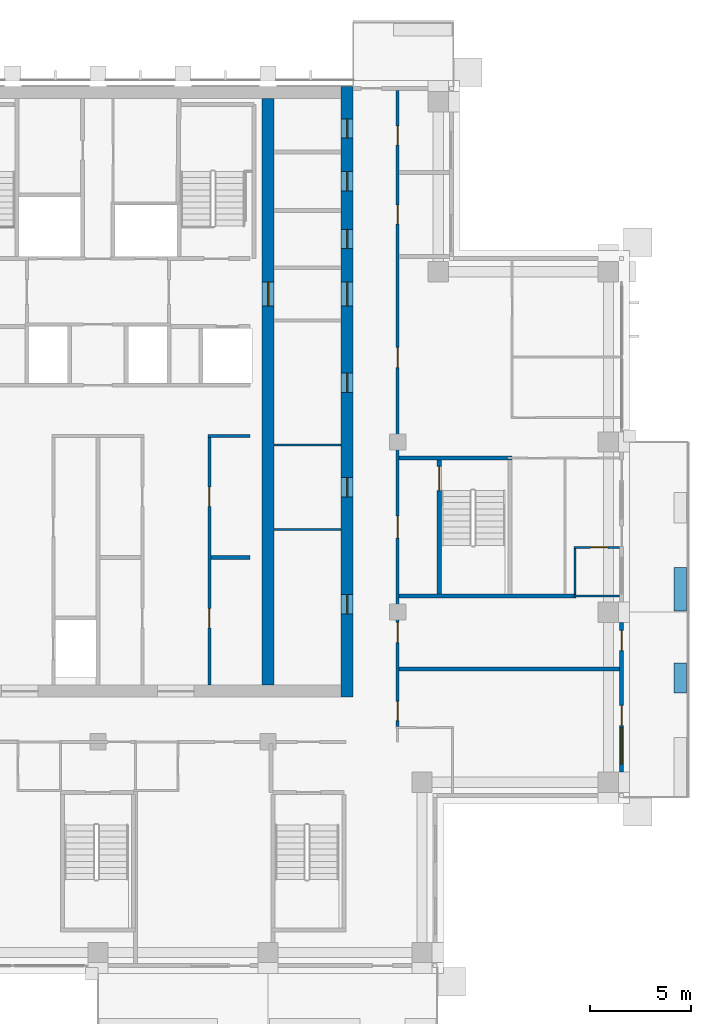
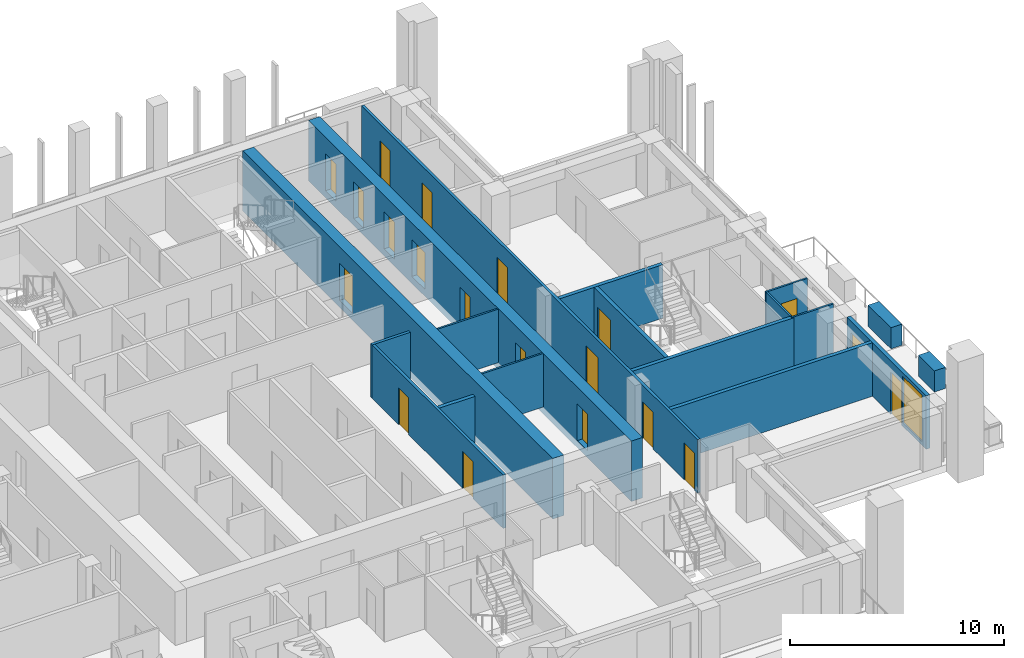
# One storey, part 11 of 18: 20 doors, 18 walls, 1 window, 21 openings.
"""IFC4 building model written with IfcOpenShell, lengths in metres."""

from ifc_helpers import new_model, si_unit, direction, frame, frame_2d, origin, place, context, subcontext, project, spatial, rectangle, extrude, material, layer, layer_set, type_object, element, fill, save


model = new_model("IFC4")

# Units and contexts
model_context = context("Model", 3, precision=1e-05, world=origin(), true_north=direction((0.0, 1.0)))
body_context = subcontext(model_context, "Body", "Model", "MODEL_VIEW")
ifc_project = project(units=[si_unit("LENGTHUNIT", "METRE"), si_unit("AREAUNIT", "SQUARE_METRE"), si_unit("VOLUMEUNIT", "CUBIC_METRE"), si_unit("PLANEANGLEUNIT", "RADIAN"), si_unit("MASSUNIT", "GRAM", prefix="KILO")], contexts=[model_context])

# Site, building, storey
site_placement = place(None, origin())
site = spatial("IfcSite", under=ifc_project, at=site_placement, CompositionType="ELEMENT")
building_placement = place(site_placement, origin())
building = spatial("IfcBuilding", under=site, at=building_placement, Name="Vermilion Ogive Tower", CompositionType="ELEMENT")
storey_placement = place(building_placement, frame((0.0, 0.0, 199.699951171875)))
storey = spatial("IfcBuildingStorey", under=building, at=storey_placement, Name="L52", CompositionType="ELEMENT", Elevation=199.699951171875)

# Wall, openings, doors
ifc_material_1 = material(Name="Concrete B60", Category="concrete")
ifc_layer_1 = layer(ifc_material_1, 0.60009765625)
ifc_layer_set_1 = layer_set([ifc_layer_1], Name="Core wall 600 B60")
wall_type_1 = type_object("IfcWallType", Name="Core wall 600 B60", PredefinedType="SHEAR", material=ifc_layer_set_1)
wall_1_placement = place(storey_placement, frame((12.300048828125, -8.39990234375, -0.39990234375), z_axis=(0.0, 0.0, 1.0), x_axis=(0.0, 1.0, 0.0)))
wall_1 = element("IfcWall", 1, at=wall_1_placement, inside=storey, type_object=wall_type_1, Name="L52-CORE-E", PredefinedType="SHEAR", context=body_context, shape_type="SweptSolid", body=[
    extrude(rectangle(XDim=30.14990234375, YDim=0.60009765625, at=frame_2d((15.074951171875, 0.0))), origin(), (0.0, 0.0, 1.0), 3.449951171875),
])
opening_1_placement = place(wall_1_placement, frame((4.112548828125, 0.0, 0.39990234375)))
opening_1 = element("IfcOpeningElement", 2, at=opening_1_placement, cuts=wall_1, Name="Opening DAC083", PredefinedType="OPENING", context=body_context, shape_type="SweptSolid", body=[
    extrude(rectangle(XDim=0.949951171875, YDim=2.10009765625, at=frame_2d((0.47509765625, 1.050048828125))), frame((0.0, 0.31005859375, 0.0), z_axis=(0.0, -1.0, 0.0), x_axis=(1.0, 0.0, 0.0)), (0.0, 0.0, 1.0), 0.6201171875),
])
opening_2_placement = place(wall_1_placement, frame((9.8896484375, 0.0, 0.39990234375)))
opening_2 = element("IfcOpeningElement", 3, at=opening_2_placement, cuts=wall_1, Name="Opening DAC084", PredefinedType="OPENING", context=body_context, shape_type="SweptSolid", body=[
    extrude(rectangle(XDim=0.949951171875, YDim=2.10009765625, at=frame_2d((0.47509765625, 1.050048828125))), frame((0.0, 0.31005859375, 0.0), z_axis=(0.0, -1.0, 0.0), x_axis=(1.0, 0.0, 0.0)), (0.0, 0.0, 1.0), 0.6201171875),
])
opening_3_placement = place(wall_1_placement, frame((15.052001953125, 0.0, 0.39990234375)))
opening_3 = element("IfcOpeningElement", 4, at=opening_3_placement, cuts=wall_1, Name="Opening DAC085", PredefinedType="OPENING", context=body_context, shape_type="SweptSolid", body=[
    extrude(rectangle(XDim=0.949951171875, YDim=2.10009765625, at=frame_2d((0.47509765625, 1.050048828125))), frame((0.0, 0.31005859375, 0.0), z_axis=(0.0, -1.0, 0.0), x_axis=(1.0, 0.0, 0.0)), (0.0, 0.0, 1.0), 0.6201171875),
])
opening_4_placement = place(wall_1_placement, frame((22.1435546875, 0.0, 0.39990234375)))
opening_4 = element("IfcOpeningElement", 5, at=opening_4_placement, cuts=wall_1, Name="Opening DAC086", PredefinedType="OPENING", context=body_context, shape_type="SweptSolid", body=[
    extrude(rectangle(XDim=0.949951171875, YDim=2.10009765625, at=frame_2d((0.47509765625, 1.050048828125))), frame((0.0, 0.31005859375, 0.0), z_axis=(0.0, -1.0, 0.0), x_axis=(1.0, 0.0, 0.0)), (0.0, 0.0, 1.0), 0.6201171875),
])
opening_5_placement = place(wall_1_placement, frame((24.998291015625, 0.0, 0.39990234375)))
opening_5 = element("IfcOpeningElement", 6, at=opening_5_placement, cuts=wall_1, Name="Opening DAC087", PredefinedType="OPENING", context=body_context, shape_type="SweptSolid", body=[
    extrude(rectangle(XDim=0.949951171875, YDim=2.10009765625, at=frame_2d((0.47509765625, 1.050048828125))), frame((0.0, 0.31005859375, 0.0), z_axis=(0.0, -1.0, 0.0), x_axis=(1.0, 0.0, 0.0)), (0.0, 0.0, 1.0), 0.6201171875),
])
opening_6_placement = place(wall_1_placement, frame((27.604736328125, 0.0, 0.39990234375)))
opening_6 = element("IfcOpeningElement", 7, at=opening_6_placement, cuts=wall_1, Name="Opening DAC088", PredefinedType="OPENING", context=body_context, shape_type="SweptSolid", body=[
    extrude(rectangle(XDim=0.949951171875, YDim=2.10009765625, at=frame_2d((0.47509765625, 1.050048828125))), frame((0.0, 0.31005859375, 0.0), z_axis=(0.0, -1.0, 0.0), x_axis=(1.0, 0.0, 0.0)), (0.0, 0.0, 1.0), 0.6201171875),
])
opening_7_placement = place(wall_1_placement, frame((19.300048828125, 0.0, 0.39990234375)))
opening_7 = element("IfcOpeningElement", 8, at=opening_7_placement, cuts=wall_1, Name="Opening DAL021", PredefinedType="OPENING", context=body_context, shape_type="SweptSolid", body=[
    extrude(rectangle(XDim=1.199951171875, YDim=2.10009765625, at=frame_2d((0.60009765625, 1.050048828125))), frame((0.0, 0.31005859375, 0.0), z_axis=(0.0, -1.0, 0.0), x_axis=(1.0, 0.0, 0.0)), (0.0, 0.0, 1.0), 0.6201171875),
])
ifc_material_2 = material(Name="Timber door leaf", Category="wood")
door_type_1 = type_object("IfcDoorType", Name="Link door 1200 x 2100 FD60S", OperationType="SINGLE_SWING_LEFT", PredefinedType="DOOR", material=ifc_material_2)
door_1_placement = place(opening_7_placement, origin())
door_1 = element("IfcDoor", 9, at=door_1_placement, inside=storey, type_object=door_type_1, Name="L52-CKE-XL", OperationType="SINGLE_SWING_LEFT", OverallHeight=2.10009765625, OverallWidth=1.199951171875, PredefinedType="DOOR", context=body_context, shape_type="SweptSolid", body=[
    extrude(rectangle(XDim=1.199951171875, YDim=2.10009765625, at=frame_2d((0.60009765625, 1.050048828125))), frame((0.0, 0.02490234375, 0.0), z_axis=(0.0, -1.0, 0.0), x_axis=(1.0, 0.0, 0.0)), (0.0, 0.0, 1.0), 0.050048828125),
])
fill(opening_7, door_1)
ifc_material_3 = material(Name="Timber door leaf", Category="wood")
door_type_2 = type_object("IfcDoorType", Name="Service door 950 x 2100 FD60", OperationType="SINGLE_SWING_LEFT", PredefinedType="DOOR", material=ifc_material_3)
door_2_placement = place(opening_1_placement, origin())
door_2 = element("IfcDoor", 10, at=door_2_placement, inside=storey, type_object=door_type_2, Name="L52-CKE-XR0", OperationType="SINGLE_SWING_LEFT", OverallHeight=2.10009765625, OverallWidth=0.949951171875, PredefinedType="DOOR", context=body_context, shape_type="SweptSolid", body=[
    extrude(rectangle(XDim=0.949951171875, YDim=2.10009765625, at=frame_2d((0.47509765625, 1.050048828125))), frame((0.0, 0.02490234375, 0.0), z_axis=(0.0, -1.0, 0.0), x_axis=(1.0, 0.0, 0.0)), (0.0, 0.0, 1.0), 0.050048828125),
])
fill(opening_1, door_2)
door_3_placement = place(opening_2_placement, origin())
door_3 = element("IfcDoor", 11, at=door_3_placement, inside=storey, type_object=door_type_2, Name="L52-CKE-XR1", OperationType="SINGLE_SWING_LEFT", OverallHeight=2.10009765625, OverallWidth=0.949951171875, PredefinedType="DOOR", context=body_context, shape_type="SweptSolid", body=[
    extrude(rectangle(XDim=0.949951171875, YDim=2.10009765625, at=frame_2d((0.47509765625, 1.050048828125))), frame((0.0, 0.02490234375, 0.0), z_axis=(0.0, -1.0, 0.0), x_axis=(1.0, 0.0, 0.0)), (0.0, 0.0, 1.0), 0.050048828125),
])
fill(opening_2, door_3)
door_4_placement = place(opening_3_placement, origin())
door_4 = element("IfcDoor", 12, at=door_4_placement, inside=storey, type_object=door_type_2, Name="L52-CKE-XR2", OperationType="SINGLE_SWING_LEFT", OverallHeight=2.10009765625, OverallWidth=0.949951171875, PredefinedType="DOOR", context=body_context, shape_type="SweptSolid", body=[
    extrude(rectangle(XDim=0.949951171875, YDim=2.10009765625, at=frame_2d((0.47509765625, 1.050048828125))), frame((0.0, 0.02490234375, 0.0), z_axis=(0.0, -1.0, 0.0), x_axis=(1.0, 0.0, 0.0)), (0.0, 0.0, 1.0), 0.050048828125),
])
fill(opening_3, door_4)
door_5_placement = place(opening_4_placement, origin())
door_5 = element("IfcDoor", 13, at=door_5_placement, inside=storey, type_object=door_type_2, Name="L52-CKE-XR3", OperationType="SINGLE_SWING_LEFT", OverallHeight=2.10009765625, OverallWidth=0.949951171875, PredefinedType="DOOR", context=body_context, shape_type="SweptSolid", body=[
    extrude(rectangle(XDim=0.949951171875, YDim=2.10009765625, at=frame_2d((0.47509765625, 1.050048828125))), frame((0.0, 0.02490234375, 0.0), z_axis=(0.0, -1.0, 0.0), x_axis=(1.0, 0.0, 0.0)), (0.0, 0.0, 1.0), 0.050048828125),
])
fill(opening_4, door_5)
door_6_placement = place(opening_5_placement, origin())
door_6 = element("IfcDoor", 14, at=door_6_placement, inside=storey, type_object=door_type_2, Name="L52-CKE-XR4", OperationType="SINGLE_SWING_LEFT", OverallHeight=2.10009765625, OverallWidth=0.949951171875, PredefinedType="DOOR", context=body_context, shape_type="SweptSolid", body=[
    extrude(rectangle(XDim=0.949951171875, YDim=2.10009765625, at=frame_2d((0.47509765625, 1.050048828125))), frame((0.0, 0.02490234375, 0.0), z_axis=(0.0, -1.0, 0.0), x_axis=(1.0, 0.0, 0.0)), (0.0, 0.0, 1.0), 0.050048828125),
])
fill(opening_5, door_6)
door_7_placement = place(opening_6_placement, origin())
door_7 = element("IfcDoor", 15, at=door_7_placement, inside=storey, type_object=door_type_2, Name="L52-CKE-XR5", OperationType="SINGLE_SWING_LEFT", OverallHeight=2.10009765625, OverallWidth=0.949951171875, PredefinedType="DOOR", context=body_context, shape_type="SweptSolid", body=[
    extrude(rectangle(XDim=0.949951171875, YDim=2.10009765625, at=frame_2d((0.47509765625, 1.050048828125))), frame((0.0, 0.02490234375, 0.0), z_axis=(0.0, -1.0, 0.0), x_axis=(1.0, 0.0, 0.0)), (0.0, 0.0, 1.0), 0.050048828125),
])
fill(opening_6, door_7)

# Wall, opening, door
wall_2_placement = place(storey_placement, frame((8.39990234375, -7.800048828125, -0.39990234375), z_axis=(0.0, 0.0, 1.0), x_axis=(0.0, 1.0, 0.0)))
wall_2 = element("IfcWall", 16, at=wall_2_placement, inside=storey, type_object=wall_type_1, Name="L52-CORE-WEB2", PredefinedType="SHEAR", context=body_context, shape_type="SweptSolid", body=[
    extrude(rectangle(XDim=28.949951171875, YDim=0.60009765625, at=frame_2d((14.47509765625, 0.0))), origin(), (0.0, 0.0, 1.0), 3.449951171875),
])
opening_8_placement = place(wall_2_placement, frame((18.699951171875, 0.0, 0.39990234375)))
opening_8 = element("IfcOpeningElement", 17, at=opening_8_placement, cuts=wall_2, Name="Opening DAO016", PredefinedType="OPENING", context=body_context, shape_type="SweptSolid", body=[
    extrude(rectangle(XDim=1.199951171875, YDim=2.10009765625, at=frame_2d((0.60009765625, 1.050048828125))), frame((0.0, 0.31005859375, 0.0), z_axis=(0.0, -1.0, 0.0), x_axis=(1.0, 0.0, 0.0)), (0.0, 0.0, 1.0), 0.6201171875),
])
door_8_placement = place(opening_8_placement, origin())
door_8 = element("IfcDoor", 18, at=door_8_placement, inside=storey, type_object=door_type_1, Name="L52-CKE-XW", OperationType="SINGLE_SWING_LEFT", OverallHeight=2.10009765625, OverallWidth=1.199951171875, PredefinedType="DOOR", context=body_context, shape_type="SweptSolid", body=[
    extrude(rectangle(XDim=1.199951171875, YDim=2.10009765625, at=frame_2d((0.60009765625, 1.050048828125))), frame((0.0, 0.02490234375, 0.0), z_axis=(0.0, -1.0, 0.0), x_axis=(1.0, 0.0, 0.0)), (0.0, 0.0, 1.0), 0.050048828125),
])
fill(opening_8, door_8)

# Wall
ifc_material_4 = material(Name="Gypsum board partition on steel studs", Category="steel")
ifc_layer_2 = layer(ifc_material_4, 0.10009765625)
ifc_layer_set_2 = layer_set([ifc_layer_2], Name="Partition 100 bath")
wall_type_2 = type_object("IfcWallType", Name="Partition 100 bath", PredefinedType="PARTITIONING", material=ifc_layer_set_2)
wall_3_placement = place(storey_placement, frame((23.5, -3.39990234375, 0.0), z_axis=(0.0, 0.0, 1.0), x_axis=(1.0, 0.0, 0.0)))
element("IfcWall", 19, at=wall_3_placement, inside=storey, type_object=wall_type_2, Name="L52-W-W020", PredefinedType="PARTITIONING", context=body_context, shape_type="SweptSolid", body=[
    extrude(rectangle(XDim=2.25, YDim=0.10009765625, at=frame_2d((1.125, 0.0))), origin(), (0.0, 0.0, 1.0), 3.050048828125),
])

# Wall, opening, door
wall_4_placement = place(storey_placement, frame((23.5, -1.0, 0.0), z_axis=(0.0, 0.0, 1.0), x_axis=(1.0, 0.0, 0.0)))
wall_4 = element("IfcWall", 20, at=wall_4_placement, inside=storey, type_object=wall_type_2, Name="L52-W-W022", PredefinedType="PARTITIONING", context=body_context, shape_type="SweptSolid", body=[
    extrude(rectangle(XDim=2.25, YDim=0.10009765625, at=frame_2d((1.125, 0.0))), origin(), (0.0, 0.0, 1.0), 3.050048828125),
])
opening_9_placement = place(wall_4_placement, frame((0.824951171875, 0.0, 0.0)))
opening_9 = element("IfcOpeningElement", 21, at=opening_9_placement, cuts=wall_4, Name="Opening D4G4022", PredefinedType="OPENING", context=body_context, shape_type="SweptSolid", body=[
    extrude(rectangle(XDim=0.85009765625, YDim=2.10009765625, at=frame_2d((0.425048828125, 1.050048828125))), frame((0.0, 0.06005859375, 0.0), z_axis=(0.0, -1.0, 0.0), x_axis=(1.0, 0.0, 0.0)), (0.0, 0.0, 1.0), 0.1201171875),
])
ifc_material_5 = material(Name="Timber door leaf", Category="wood")
door_type_3 = type_object("IfcDoorType", Name="Bath door 850 x 2100 FD30", OperationType="SINGLE_SWING_LEFT", PredefinedType="DOOR", material=ifc_material_5)
door_9_placement = place(opening_9_placement, origin())
door_9 = element("IfcDoor", 22, at=door_9_placement, inside=storey, type_object=door_type_3, Name="L52-D-D022", OperationType="SINGLE_SWING_RIGHT", OverallHeight=2.10009765625, OverallWidth=0.85009765625, PredefinedType="DOOR", context=body_context, shape_type="SweptSolid", body=[
    extrude(rectangle(XDim=0.85009765625, YDim=2.10009765625, at=frame_2d((0.425048828125, 1.050048828125))), frame((0.0, 0.02490234375, 0.0), z_axis=(0.0, -1.0, 0.0), x_axis=(1.0, 0.0, 0.0)), (0.0, 0.0, 1.0), 0.050048828125),
])
fill(opening_9, door_9)

# Walls
wall_5_placement = place(storey_placement, frame((23.550048828125, -3.300048828125, 0.0), z_axis=(0.0, 0.0, 1.0), x_axis=(0.0, 1.0, 0.0)))
element("IfcWall", 23, at=wall_5_placement, inside=storey, type_object=wall_type_2, Name="L52-W-W062", PredefinedType="PARTITIONING", context=body_context, shape_type="SweptSolid", body=[
    extrude(rectangle(XDim=2.25, YDim=0.10009765625, at=frame_2d((1.125, 0.0))), origin(), (0.0, 0.0, 1.0), 3.050048828125),
])
for number, where, z_axis, x_axis, name in (
    (24, (8.700927734375, -0.125, 0.0), (0.0, 0.0, 1.0), (1.0, 0.0, 0.0), "L52-CKE-W-W001"),
    (25, (8.700927734375, 4.053955078125, 0.0), (0.0, 0.0, 1.0), (1.0, 0.0, 0.0), "L52-CKE-W-W002"),
):
    element("IfcWall", number, at=place(storey_placement, frame(where, z_axis=z_axis, x_axis=x_axis)), inside=storey, type_object=wall_type_2, Name=name, PredefinedType="PARTITIONING", context=body_context, shape_type="SweptSolid", body=[
        extrude(rectangle(XDim=3.298095703125, YDim=0.10009765625, at=frame_2d((1.64892578125, 0.0))), origin(), (0.0, 0.0, 1.0), 3.050048828125),
    ])

# Wall, openings, doors
ifc_material_6 = material(Name="Gypsum board partition on steel studs", Category="steel")
ifc_layer_3 = layer(ifc_material_6, 0.14990234375)
ifc_layer_set_3 = layer_set([ifc_layer_3], Name="Partition 150 corridor")
wall_type_3 = type_object("IfcWallType", Name="Partition 150 corridor", PredefinedType="PARTITIONING", material=ifc_layer_set_3)
wall_6_placement = place(storey_placement, frame((14.800048828125, -9.85009765625, 0.0), z_axis=(0.0, 0.0, 1.0), x_axis=(0.0, 1.0, 0.0)))
wall_6 = element("IfcWall", 26, at=wall_6_placement, inside=storey, type_object=wall_type_3, Name="L52-W-W056", PredefinedType="PARTITIONING", context=body_context, shape_type="SweptSolid", body=[
    extrude(rectangle(XDim=31.400146484375, YDim=0.14990234375, at=frame_2d((15.7001953125, 0.0))), origin(), (0.0, 0.0, 1.0), 3.050048828125),
])
opening_10_placement = place(wall_6_placement, frame((0.300048828125, 0.0, 0.0)))
opening_10 = element("IfcOpeningElement", 27, at=opening_10_placement, cuts=wall_6, Name="Opening D4G4015", PredefinedType="OPENING", context=body_context, shape_type="SweptSolid", body=[
    extrude(rectangle(XDim=0.949951171875, YDim=2.10009765625, at=frame_2d((0.47509765625, 1.050048828125))), frame((0.0, 0.0849609375, 0.0), z_axis=(0.0, -1.0, 0.0), x_axis=(1.0, 0.0, 0.0)), (0.0, 0.0, 1.0), 0.169921875),
])
opening_11_placement = place(wall_6_placement, frame((17.72509765625, 0.0, 0.0)))
opening_11 = element("IfcOpeningElement", 28, at=opening_11_placement, cuts=wall_6, Name="Opening D4G4020", PredefinedType="OPENING", context=body_context, shape_type="SweptSolid", body=[
    extrude(rectangle(XDim=1.0, YDim=2.10009765625, at=frame_2d((0.5, 1.050048828125))), frame((0.0, 0.0849609375, 0.0), z_axis=(0.0, -1.0, 0.0), x_axis=(1.0, 0.0, 0.0)), (0.0, 0.0, 1.0), 0.169921875),
])
opening_12_placement = place(wall_6_placement, frame((24.800048828125, 0.0, 0.0)))
opening_12 = element("IfcOpeningElement", 29, at=opening_12_placement, cuts=wall_6, Name="Opening D4G4023", PredefinedType="OPENING", context=body_context, shape_type="SweptSolid", body=[
    extrude(rectangle(XDim=0.949951171875, YDim=2.10009765625, at=frame_2d((0.47509765625, 1.050048828125))), frame((0.0, 0.0849609375, 0.0), z_axis=(0.0, -1.0, 0.0), x_axis=(1.0, 0.0, 0.0)), (0.0, 0.0, 1.0), 0.169921875),
])
opening_13_placement = place(wall_6_placement, frame((28.7001953125, 0.0, 0.0)))
opening_13 = element("IfcOpeningElement", 30, at=opening_13_placement, cuts=wall_6, Name="Opening D4G4024", PredefinedType="OPENING", context=body_context, shape_type="SweptSolid", body=[
    extrude(rectangle(XDim=0.949951171875, YDim=2.10009765625, at=frame_2d((0.47509765625, 1.050048828125))), frame((0.0, 0.0849609375, 0.0), z_axis=(0.0, -1.0, 0.0), x_axis=(1.0, 0.0, 0.0)), (0.0, 0.0, 1.0), 0.169921875),
])
opening_14_placement = place(wall_6_placement, frame((9.300048828125, 0.0, 0.0)))
opening_14 = element("IfcOpeningElement", 31, at=opening_14_placement, cuts=wall_6, Name="Opening D4G4031", PredefinedType="OPENING", context=body_context, shape_type="SweptSolid", body=[
    extrude(rectangle(XDim=1.10009765625, YDim=2.10009765625, at=frame_2d((0.550048828125, 1.050048828125))), frame((0.0, 0.0849609375, 0.0), z_axis=(0.0, -1.0, 0.0), x_axis=(1.0, 0.0, 0.0)), (0.0, 0.0, 1.0), 0.169921875),
])
opening_15_placement = place(wall_6_placement, frame((4.150146484375, 0.0, 0.0)))
opening_15 = element("IfcOpeningElement", 32, at=opening_15_placement, cuts=wall_6, Name="Opening D4G4036", PredefinedType="OPENING", context=body_context, shape_type="SweptSolid", body=[
    extrude(rectangle(XDim=1.0, YDim=2.10009765625, at=frame_2d((0.5, 1.050048828125))), frame((0.0, 0.0849609375, 0.0), z_axis=(0.0, -1.0, 0.0), x_axis=(1.0, 0.0, 0.0)), (0.0, 0.0, 1.0), 0.169921875),
])
ifc_material_7 = material(Name="Timber door leaf", Category="wood")
door_type_4 = type_object("IfcDoorType", Name="Stair door 1100 x 2100 FD60S", OperationType="SINGLE_SWING_LEFT", PredefinedType="DOOR", material=ifc_material_7)
door_10_placement = place(opening_14_placement, origin())
door_10 = element("IfcDoor", 33, at=door_10_placement, inside=storey, type_object=door_type_4, Name="L52-D-D031", OperationType="SINGLE_SWING_LEFT", OverallHeight=2.10009765625, OverallWidth=1.10009765625, PredefinedType="DOOR", context=body_context, shape_type="SweptSolid", body=[
    extrude(rectangle(XDim=1.10009765625, YDim=2.10009765625, at=frame_2d((0.550048828125, 1.050048828125))), frame((0.0, 0.02490234375, 0.0), z_axis=(0.0, -1.0, 0.0), x_axis=(1.0, 0.0, 0.0)), (0.0, 0.0, 1.0), 0.050048828125),
])
fill(opening_14, door_10)
ifc_material_8 = material(Name="Timber door leaf", Category="wood")
door_type_5 = type_object("IfcDoorType", Name="Unit door 1000 x 2100 FD30S", OperationType="SINGLE_SWING_LEFT", PredefinedType="DOOR", material=ifc_material_8)
door_11_placement = place(opening_11_placement, origin())
door_11 = element("IfcDoor", 34, at=door_11_placement, inside=storey, type_object=door_type_5, Name="L52-D-D020", OperationType="SINGLE_SWING_LEFT", OverallHeight=2.10009765625, OverallWidth=1.0, PredefinedType="DOOR", context=body_context, shape_type="SweptSolid", body=[
    extrude(rectangle(XDim=1.0, YDim=2.10009765625, at=frame_2d((0.5, 1.050048828125))), frame((0.0, 0.02490234375, 0.0), z_axis=(0.0, -1.0, 0.0), x_axis=(1.0, 0.0, 0.0)), (0.0, 0.0, 1.0), 0.050048828125),
])
fill(opening_11, door_11)
door_12_placement = place(opening_15_placement, origin())
door_12 = element("IfcDoor", 35, at=door_12_placement, inside=storey, type_object=door_type_5, Name="L52-D-D036", OperationType="SINGLE_SWING_RIGHT", OverallHeight=2.10009765625, OverallWidth=1.0, PredefinedType="DOOR", context=body_context, shape_type="SweptSolid", body=[
    extrude(rectangle(XDim=1.0, YDim=2.10009765625, at=frame_2d((0.5, 1.050048828125))), frame((0.0, 0.02490234375, 0.0), z_axis=(0.0, -1.0, 0.0), x_axis=(1.0, 0.0, 0.0)), (0.0, 0.0, 1.0), 0.050048828125),
])
fill(opening_15, door_12)
ifc_material_9 = material(Name="Timber door leaf", Category="wood")
door_type_6 = type_object("IfcDoorType", Name="Unit door 950 x 2100 FD30S", OperationType="SINGLE_SWING_LEFT", PredefinedType="DOOR", material=ifc_material_9)
door_13_placement = place(opening_10_placement, origin())
door_13 = element("IfcDoor", 36, at=door_13_placement, inside=storey, type_object=door_type_6, Name="L52-D-D015", OperationType="SINGLE_SWING_RIGHT", OverallHeight=2.10009765625, OverallWidth=0.949951171875, PredefinedType="DOOR", context=body_context, shape_type="SweptSolid", body=[
    extrude(rectangle(XDim=0.949951171875, YDim=2.10009765625, at=frame_2d((0.47509765625, 1.050048828125))), frame((0.0, 0.02490234375, 0.0), z_axis=(0.0, -1.0, 0.0), x_axis=(1.0, 0.0, 0.0)), (0.0, 0.0, 1.0), 0.050048828125),
])
fill(opening_10, door_13)
door_14_placement = place(opening_12_placement, origin())
door_14 = element("IfcDoor", 37, at=door_14_placement, inside=storey, type_object=door_type_6, Name="L52-D-D023", OperationType="SINGLE_SWING_RIGHT", OverallHeight=2.10009765625, OverallWidth=0.949951171875, PredefinedType="DOOR", context=body_context, shape_type="SweptSolid", body=[
    extrude(rectangle(XDim=0.949951171875, YDim=2.10009765625, at=frame_2d((0.47509765625, 1.050048828125))), frame((0.0, 0.02490234375, 0.0), z_axis=(0.0, -1.0, 0.0), x_axis=(1.0, 0.0, 0.0)), (0.0, 0.0, 1.0), 0.050048828125),
])
fill(opening_12, door_14)
door_15_placement = place(opening_13_placement, origin())
door_15 = element("IfcDoor", 38, at=door_15_placement, inside=storey, type_object=door_type_6, Name="L52-D-D024", OperationType="SINGLE_SWING_RIGHT", OverallHeight=2.10009765625, OverallWidth=0.949951171875, PredefinedType="DOOR", context=body_context, shape_type="SweptSolid", body=[
    extrude(rectangle(XDim=0.949951171875, YDim=2.10009765625, at=frame_2d((0.47509765625, 1.050048828125))), frame((0.0, 0.02490234375, 0.0), z_axis=(0.0, -1.0, 0.0), x_axis=(1.0, 0.0, 0.0)), (0.0, 0.0, 1.0), 0.050048828125),
])
fill(opening_13, door_15)

# Wall
wall_7_placement = place(storey_placement, frame((5.425048828125, 4.5, 0.0), z_axis=(0.0, 0.0, 1.0), x_axis=(1.0, 0.0, 0.0)))
element("IfcWall", 39, at=wall_7_placement, inside=storey, type_object=wall_type_3, Name="L52-CK-W-W009", PredefinedType="PARTITIONING", context=body_context, shape_type="SweptSolid", body=[
    extrude(rectangle(XDim=2.074951171875, YDim=0.14990234375, at=frame_2d((1.03759765625, 0.0))), origin(), (0.0, 0.0, 1.0), 3.050048828125),
])

# Wall, openings, doors
wall_8_placement = place(storey_placement, frame((5.5, -7.799072265625, 0.0), z_axis=(0.0, 0.0, 1.0), x_axis=(0.0, 1.0, 0.0)))
wall_8 = element("IfcWall", 40, at=wall_8_placement, inside=storey, type_object=wall_type_3, Name="L52-CK-W-W037", PredefinedType="PARTITIONING", context=body_context, shape_type="SweptSolid", body=[
    extrude(rectangle(XDim=12.22412109375, YDim=0.14990234375, at=frame_2d((6.112060546875, 0.0))), origin(), (0.0, 0.0, 1.0), 3.050048828125),
])
opening_16_placement = place(wall_8_placement, frame((2.823974609375, 0.0, 0.0)))
opening_16 = element("IfcOpeningElement", 41, at=opening_16_placement, cuts=wall_8, Name="Opening DAA475", PredefinedType="OPENING", context=body_context, shape_type="SweptSolid", body=[
    extrude(rectangle(XDim=0.949951171875, YDim=2.10009765625, at=frame_2d((0.47509765625, 1.050048828125))), frame((0.0, 0.0849609375, 0.0), z_axis=(0.0, -1.0, 0.0), x_axis=(1.0, 0.0, 0.0)), (0.0, 0.0, 1.0), 0.169921875),
])
opening_17_placement = place(wall_8_placement, frame((8.823974609375, 0.0, 0.0)))
opening_17 = element("IfcOpeningElement", 42, at=opening_17_placement, cuts=wall_8, Name="Opening DAA476", PredefinedType="OPENING", context=body_context, shape_type="SweptSolid", body=[
    extrude(rectangle(XDim=0.949951171875, YDim=2.10009765625, at=frame_2d((0.47509765625, 1.050048828125))), frame((0.0, 0.0849609375, 0.0), z_axis=(0.0, -1.0, 0.0), x_axis=(1.0, 0.0, 0.0)), (0.0, 0.0, 1.0), 0.169921875),
])
door_16_placement = place(opening_16_placement, origin())
door_16 = element("IfcDoor", 43, at=door_16_placement, inside=storey, type_object=door_type_2, Name="L52-CK-D-D009", OperationType="SINGLE_SWING_LEFT", OverallHeight=2.10009765625, OverallWidth=0.949951171875, PredefinedType="DOOR", context=body_context, shape_type="SweptSolid", body=[
    extrude(rectangle(XDim=0.949951171875, YDim=2.10009765625, at=frame_2d((0.47509765625, 1.050048828125))), frame((0.0, 0.02490234375, 0.0), z_axis=(0.0, -1.0, 0.0), x_axis=(1.0, 0.0, 0.0)), (0.0, 0.0, 1.0), 0.050048828125),
])
fill(opening_16, door_16)
door_17_placement = place(opening_17_placement, origin())
door_17 = element("IfcDoor", 44, at=door_17_placement, inside=storey, type_object=door_type_2, Name="L52-CK-D-D010", OperationType="SINGLE_SWING_LEFT", OverallHeight=2.10009765625, OverallWidth=0.949951171875, PredefinedType="DOOR", context=body_context, shape_type="SweptSolid", body=[
    extrude(rectangle(XDim=0.949951171875, YDim=2.10009765625, at=frame_2d((0.47509765625, 1.050048828125))), frame((0.0, 0.02490234375, 0.0), z_axis=(0.0, -1.0, 0.0), x_axis=(1.0, 0.0, 0.0)), (0.0, 0.0, 1.0), 0.050048828125),
])
fill(opening_17, door_17)

# Walls
ifc_material_10 = material(Name="Gypsum board partition on steel studs", Category="steel")
ifc_layer_4 = layer(ifc_material_10, 0.199951171875)
ifc_layer_set_4 = layer_set([ifc_layer_4], Name="Partition 200 party")
wall_type_4 = type_object("IfcWallType", Name="Partition 200 party", PredefinedType="PARTITIONING", material=ifc_layer_set_4)
wall_9_placement = place(storey_placement, frame((14.875, -7.0, 0.0), z_axis=(0.0, 0.0, 1.0), x_axis=(1.0, 0.0, 0.0)))
element("IfcWall", 45, at=wall_9_placement, inside=storey, type_object=wall_type_4, Name="L52-W-W015", PredefinedType="PARTITIONING", context=body_context, shape_type="SweptSolid", body=[
    extrude(rectangle(XDim=10.875, YDim=0.199951171875, at=frame_2d((5.4375, 0.0))), origin(), (0.0, 0.0, 1.0), 3.050048828125),
])
wall_10_placement = place(storey_placement, frame((5.574951171875, -1.5, 0.0), z_axis=(0.0, 0.0, 1.0), x_axis=(1.0, 0.0, 0.0)))
element("IfcWall", 46, at=wall_10_placement, inside=storey, type_object=wall_type_4, Name="L52-CK-W-W005", PredefinedType="PARTITIONING", context=body_context, shape_type="SweptSolid", body=[
    extrude(rectangle(XDim=1.925048828125, YDim=0.199951171875, at=frame_2d((0.96240234375, 0.0))), origin(), (0.0, 0.0, 1.0), 3.050048828125),
])
ifc_material_11 = material(Name="Concrete B60", Category="concrete")
ifc_layer_5 = layer(ifc_material_11, 0.199951171875)
ifc_layer_set_5 = layer_set([ifc_layer_5], Name="Stair shaft wall 200 Concrete B60")
wall_type_5 = type_object("IfcWallType", Name="Stair shaft wall 200 Concrete B60", PredefinedType="SOLIDWALL", material=ifc_layer_set_5)
wall_11_placement = place(storey_placement, frame((14.875, -3.39990234375, 0.0), z_axis=(0.0, 0.0, 1.0), x_axis=(1.0, 0.0, 0.0)))
element("IfcWall", 47, at=wall_11_placement, inside=storey, type_object=wall_type_5, Name="L52-W-W019", PredefinedType="SOLIDWALL", context=body_context, shape_type="SweptSolid", body=[
    extrude(rectangle(XDim=8.72509765625, YDim=0.199951171875, at=frame_2d((4.362548828125, 0.0))), origin(), (0.0, 0.0, 1.0), 3.050048828125),
])
wall_12_placement = place(storey_placement, frame((14.875, 3.39990234375, 0.0), z_axis=(0.0, 0.0, 1.0), x_axis=(1.0, 0.0, 0.0)))
element("IfcWall", 48, at=wall_12_placement, inside=storey, type_object=wall_type_5, Name="L52-W-W025", PredefinedType="SOLIDWALL", context=body_context, shape_type="SweptSolid", body=[
    extrude(rectangle(XDim=5.574951171875, YDim=0.199951171875, at=frame_2d((2.78759765625, 0.0))), origin(), (0.0, 0.0, 1.0), 3.050048828125),
])

# Wall, opening, door
wall_13_placement = place(storey_placement, frame((16.85009765625, -3.300048828125, 0.0), z_axis=(0.0, 0.0, 1.0), x_axis=(0.0, 1.0, 0.0)))
wall_13 = element("IfcWall", 49, at=wall_13_placement, inside=storey, type_object=wall_type_5, Name="L52-W-W057", PredefinedType="SOLIDWALL", context=body_context, shape_type="SweptSolid", body=[
    extrude(rectangle(XDim=6.60009765625, YDim=0.199951171875, at=frame_2d((3.300048828125, 0.0))), origin(), (0.0, 0.0, 1.0), 3.050048828125),
])
opening_18_placement = place(wall_13_placement, frame((5.10009765625, 0.0, 0.0)))
opening_18 = element("IfcOpeningElement", 50, at=opening_18_placement, cuts=wall_13, Name="Opening D4G4032", PredefinedType="OPENING", context=body_context, shape_type="SweptSolid", body=[
    extrude(rectangle(XDim=1.199951171875, YDim=2.10009765625, at=frame_2d((0.60009765625, 1.050048828125))), frame((0.0, 0.10986328125, 0.0), z_axis=(0.0, -1.0, 0.0), x_axis=(1.0, 0.0, 0.0)), (0.0, 0.0, 1.0), 0.219970703125),
])
ifc_material_12 = material(Name="Timber door leaf", Category="wood")
door_type_7 = type_object("IfcDoorType", Name="Stair door 1200 x 2100 FD60S", OperationType="SINGLE_SWING_LEFT", PredefinedType="DOOR", material=ifc_material_12)
door_18_placement = place(opening_18_placement, origin())
door_18 = element("IfcDoor", 51, at=door_18_placement, inside=storey, type_object=door_type_7, Name="L52-D-D032", OperationType="SINGLE_SWING_LEFT", OverallHeight=2.10009765625, OverallWidth=1.199951171875, PredefinedType="DOOR", context=body_context, shape_type="SweptSolid", body=[
    extrude(rectangle(XDim=1.199951171875, YDim=2.10009765625, at=frame_2d((0.60009765625, 1.050048828125))), frame((0.0, 0.02490234375, 0.0), z_axis=(0.0, -1.0, 0.0), x_axis=(1.0, 0.0, 0.0)), (0.0, 0.0, 1.0), 0.050048828125),
])
fill(opening_18, door_18)

# Walls
ifc_material_13 = material(Name="Concrete B40", Category="concrete")
ifc_layer_6 = layer(ifc_material_13, 0.60009765625)
ifc_layer_set_6 = layer_set([ifc_layer_6], Name="Structural planter")
wall_type_6 = type_object("IfcWallType", Name="Structural planter", PredefinedType="USERDEFINED", material=ifc_layer_set_6)
wall_14_placement = place(storey_placement, frame((28.75, -8.199951171875, -0.0400390625), z_axis=(0.0, 0.0, 1.0), x_axis=(0.0, 1.0, 0.0)))
element("IfcWall", 52, at=wall_14_placement, inside=storey, type_object=wall_type_6, Name="Planter E01A2", ObjectType="PLANTER", PredefinedType="USERDEFINED", context=body_context, shape_type="SweptSolid", body=[
    extrude(rectangle(XDim=1.5, YDim=0.60009765625, at=frame_2d((0.75, 0.0))), origin(), (0.0, 0.0, 1.0), 1.2001953125),
])
wall_15_placement = place(storey_placement, frame((28.75, -4.139892578125, -0.0400390625), z_axis=(0.0, 0.0, 1.0), x_axis=(0.0, 1.0, 0.0)))
element("IfcWall", 53, at=wall_15_placement, inside=storey, type_object=wall_type_6, Name="Planter E02A1", ObjectType="PLANTER", PredefinedType="USERDEFINED", context=body_context, shape_type="SweptSolid", body=[
    extrude(rectangle(XDim=2.139892578125, YDim=0.60009765625, at=frame_2d((1.06982421875, 0.0))), origin(), (0.0, 0.0, 1.0), 1.2001953125),
])

# Wall, openings, doors, window
ifc_material_14 = material(Name="Aluminium window wall framing", Category="aluminium")
ifc_layer_7 = layer(ifc_material_14, 0.199951171875)
ifc_layer_set_7 = layer_set([ifc_layer_7], Name="Window wall")
wall_type_7 = type_object("IfcWallType", Name="Window wall", PredefinedType="STANDARD", material=ifc_layer_set_7)
wall_16_placement = place(storey_placement, frame((25.85009765625, -12.10009765625, 0.0), z_axis=(0.0, 0.0, 1.0), x_axis=(0.0, 1.0, 0.0)))
wall_16 = element("IfcWall", 54, at=wall_16_placement, inside=storey, type_object=wall_type_7, Name="Window wall E1", PredefinedType="STANDARD", context=body_context, shape_type="SweptSolid", body=[
    extrude(rectangle(XDim=7.400146484375, YDim=0.199951171875, at=frame_2d((3.7001953125, 0.0))), origin(), (0.0, 0.0, 1.0), 3.050048828125),
])
opening_19_placement = place(wall_16_placement, frame((0.39990234375, 0.0, 0.199951171875)))
opening_19 = element("IfcOpeningElement", 55, at=opening_19_placement, cuts=wall_16, Name="Opening W1-E97", PredefinedType="OPENING", context=body_context, shape_type="SweptSolid", body=[
    extrude(rectangle(XDim=1.800048828125, YDim=2.64990234375, at=frame_2d((0.89990234375, 1.324951171875))), frame((0.0, 0.10986328125, 0.0), z_axis=(0.0, -1.0, 0.0), x_axis=(1.0, 0.0, 0.0)), (0.0, 0.0, 1.0), 0.219970703125),
])
opening_20_placement = place(wall_16_placement, frame((2.300048828125, 0.0, 0.0)))
opening_20 = element("IfcOpeningElement", 56, at=opening_20_placement, cuts=wall_16, Name="Opening D1-E97", PredefinedType="OPENING", context=body_context, shape_type="SweptSolid", body=[
    extrude(rectangle(XDim=1.0, YDim=2.39990234375, at=frame_2d((0.5, 1.199951171875))), frame((0.0, 0.10986328125, 0.0), z_axis=(0.0, -1.0, 0.0), x_axis=(1.0, 0.0, 0.0)), (0.0, 0.0, 1.0), 0.219970703125),
])
opening_21_placement = place(wall_16_placement, frame((6.0, 0.0, 0.0)))
opening_21 = element("IfcOpeningElement", 57, at=opening_21_placement, cuts=wall_16, Name="Opening D1-E98", PredefinedType="OPENING", context=body_context, shape_type="SweptSolid", body=[
    extrude(rectangle(XDim=1.0, YDim=2.39990234375, at=frame_2d((0.5, 1.199951171875))), frame((0.0, 0.10986328125, 0.0), z_axis=(0.0, -1.0, 0.0), x_axis=(1.0, 0.0, 0.0)), (0.0, 0.0, 1.0), 0.219970703125),
])
ifc_material_15 = material(Name="Aluminium framed glazed door", Category="aluminium")
door_type_8 = type_object("IfcDoorType", Name="Balcony door D1", OperationType="SINGLE_SWING_LEFT", PredefinedType="DOOR", material=ifc_material_15)
door_19_placement = place(opening_20_placement, origin())
door_19 = element("IfcDoor", 58, at=door_19_placement, inside=storey, type_object=door_type_8, Name="Balcony door E97", OperationType="SINGLE_SWING_LEFT", OverallHeight=2.39990234375, OverallWidth=1.0, PredefinedType="DOOR", context=body_context, shape_type="SweptSolid", body=[
    extrude(rectangle(XDim=1.0, YDim=2.39990234375, at=frame_2d((0.5, 1.199951171875))), frame((0.0, 0.02490234375, 0.0), z_axis=(0.0, -1.0, 0.0), x_axis=(1.0, 0.0, 0.0)), (0.0, 0.0, 1.0), 0.050048828125),
])
fill(opening_20, door_19)
door_20_placement = place(opening_21_placement, origin())
door_20 = element("IfcDoor", 59, at=door_20_placement, inside=storey, type_object=door_type_8, Name="Balcony door E98", OperationType="SINGLE_SWING_LEFT", OverallHeight=2.39990234375, OverallWidth=1.0, PredefinedType="DOOR", context=body_context, shape_type="SweptSolid", body=[
    extrude(rectangle(XDim=1.0, YDim=2.39990234375, at=frame_2d((0.5, 1.199951171875))), frame((0.0, 0.02490234375, 0.0), z_axis=(0.0, -1.0, 0.0), x_axis=(1.0, 0.0, 0.0)), (0.0, 0.0, 1.0), 0.050048828125),
])
fill(opening_21, door_20)
ifc_material_16 = material(Name="Aluminium framed double glazing", Category="aluminium")
window_type = type_object("IfcWindowType", Name="Guest window W1", PartitioningType="SINGLE_PANEL", PredefinedType="WINDOW", material=ifc_material_16)
window_placement = place(opening_19_placement, origin())
window = element("IfcWindow", 60, at=window_placement, inside=storey, type_object=window_type, Name="Window E97", OverallHeight=2.64990234375, OverallWidth=1.800048828125, PartitioningType="SINGLE_PANEL", PredefinedType="WINDOW", context=body_context, shape_type="SweptSolid", body=[
    extrude(rectangle(XDim=1.800048828125, YDim=2.64990234375, at=frame_2d((0.89990234375, 1.324951171875))), frame((0.0, 0.030029296875, 0.0), z_axis=(0.0, -1.0, 0.0), x_axis=(1.0, 0.0, 0.0)), (0.0, 0.0, 1.0), 0.06005859375),
])
fill(opening_19, window)

save(model, "model.ifc")
